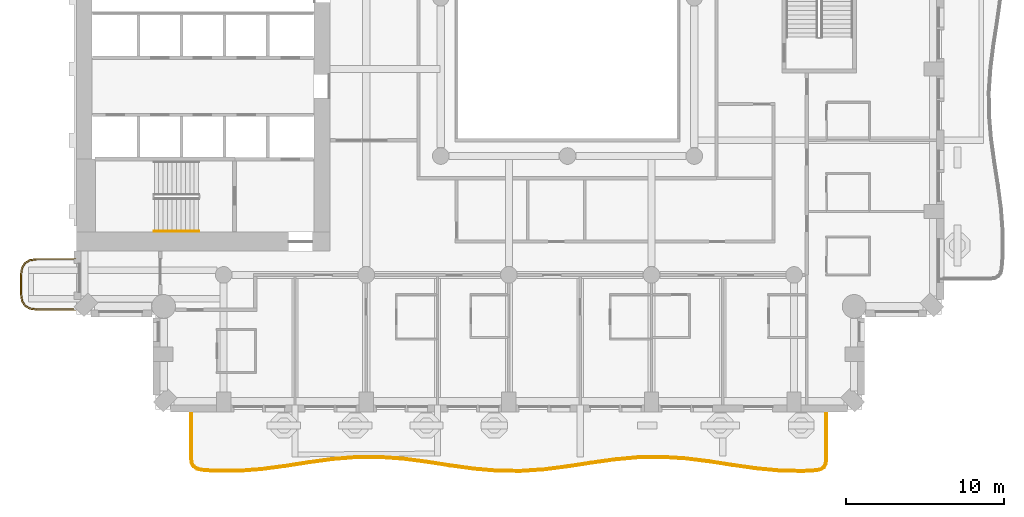
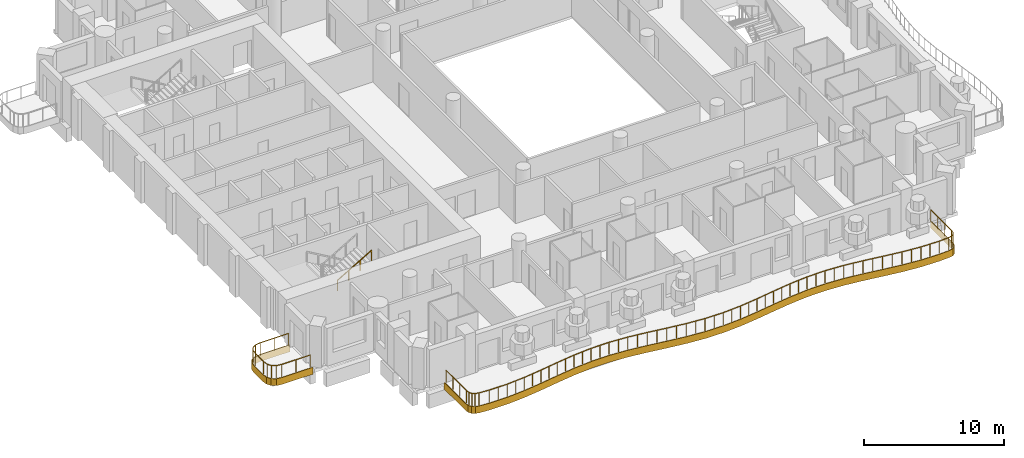
# One storey, part 13 of 20: 3 railings, 2 coverings.
"""IFC4 building model written with IfcOpenShell, lengths in metres."""

import ifcopenshell
import ifcopenshell.guid

model = None  # the IFC model being written
_history = None  # IfcOwnerHistory: only IFC2X3 demands one
_inside = {}  # id of a spatial element -> (the spatial element, [elements in it])
_under = {}  # id of a project, library or spatial element -> (it, [spatial elements below it])
_declared = {}  # id of a project -> (the project, [libraries it declares])
_typed = {}  # id of a type object -> (the type object, [elements of that type])
_made_of = {}  # id of a material, layer set ... -> (it, [elements and type objects made of it])


def new_model(schema):
    """Start an empty IFC model of exactly this schema.

    Asked for "IFC4X3", IfcOpenShell would pick the latest addendum, in which some entities
    have other attributes; the version numbers below select the first issue.
    IFC2X3 requires an IfcOwnerHistory on every rooted entity: one is made here for all.
    """
    global model, _history
    if schema == "IFC4X3":
        model = ifcopenshell.file(schema_version=(4, 3, 0, 0))
    else:
        model = ifcopenshell.file(schema=schema)
    _inside.clear()
    _under.clear()
    _declared.clear()
    _typed.clear()
    _made_of.clear()
    _history = None
    if model.schema == "IFC2X3":
        org = make("IfcOrganization", Name="unknown")
        user = make(
            "IfcPersonAndOrganization",
            ThePerson=make("IfcPerson", FamilyName="unknown"),
            TheOrganization=org,
        )
        app = make(
            "IfcApplication",
            ApplicationDeveloper=org,
            Version="unknown",
            ApplicationFullName="unknown",
            ApplicationIdentifier="unknown",
        )
        _history = make(
            "IfcOwnerHistory",
            OwningUser=user,
            OwningApplication=app,
            ChangeAction="ADDED",
            CreationDate=0,
        )
    return model


def make(cls, **values):
    """One entity of the class cls with the attributes given. An attribute that is None is left unset."""
    return model.create_entity(
        cls, **{name: value for name, value in values.items() if value is not None}
    )


def rooted(cls, **values):
    """An entity with a GlobalId (a new one), such as an element, a storey or a relation."""
    return make(cls, GlobalId=ifcopenshell.guid.new(), OwnerHistory=_history, **values)


def si_unit(unit_type, name, prefix=None):
    """IfcSIUnit, for example si_unit("LENGTHUNIT", "METRE", prefix="MILLI")."""
    return make("IfcSIUnit", UnitType=unit_type, Prefix=prefix, Name=name)


def assignment(units):
    """IfcUnitAssignment: the units of a project."""
    return None if units is None else make("IfcUnitAssignment", Units=units)


def point(xyz):
    """IfcCartesianPoint."""
    return None if xyz is None else make("IfcCartesianPoint", Coordinates=xyz)


def direction(xyz):
    """IfcDirection."""
    return None if xyz is None else make("IfcDirection", DirectionRatios=xyz)


def frame(location, z_axis=None, x_axis=None):
    """IfcAxis2Placement3D, a coordinate frame: its origin and axes. An axis left out is left unset."""
    return make(
        "IfcAxis2Placement3D",
        Location=point(location),
        Axis=direction(z_axis),
        RefDirection=direction(x_axis),
    )


def frame_2d(location, x_axis=None):
    """IfcAxis2Placement2D, a coordinate frame in the plane: its origin and x axis."""
    return make(
        "IfcAxis2Placement2D", Location=point(location), RefDirection=direction(x_axis)
    )


def origin():
    """The frame at (0, 0, 0) with its axes left unset."""
    return frame((0.0, 0.0, 0.0))


def origin_2d():
    """The frame at (0, 0) in the plane with its x axis left unset."""
    return frame_2d((0.0, 0.0))


def place(relative_to, where):
    """IfcLocalPlacement: puts the frame where relative to a parent placement (None: the world)."""
    return make(
        "IfcLocalPlacement", PlacementRelTo=relative_to, RelativePlacement=where
    )


def context(
    kind, dimensions, precision=None, world=None, true_north=None, identifier=None
):
    """IfcGeometricRepresentationContext, for example the 3D "Model" context."""
    return make(
        "IfcGeometricRepresentationContext",
        ContextIdentifier=identifier,
        ContextType=kind,
        CoordinateSpaceDimension=dimensions,
        Precision=precision,
        WorldCoordinateSystem=world,
        TrueNorth=true_north,
    )


def subcontext(parent, identifier, kind, view, scale=None):
    """IfcGeometricRepresentationSubContext, for example "Body" below "Model"."""
    return make(
        "IfcGeometricRepresentationSubContext",
        ContextIdentifier=identifier,
        ContextType=kind,
        ParentContext=parent,
        TargetScale=scale,
        TargetView=view,
    )


def project(units=None, contexts=None):
    """IfcProject with its units and contexts."""
    return rooted(
        "IfcProject",
        Name="project",
        RepresentationContexts=contexts,
        UnitsInContext=assignment(units),
    )


def spatial(cls, under=None, at=None, **own):
    """A site, building, storey or space (cls), placed at a placement, below another one or the project."""
    s = rooted(cls, ObjectPlacement=at, **own)
    if under is not None:
        _under.setdefault(under.id(), (under, []))[1].append(s)
    return s


def polyline(points):
    """IfcPolyline through the points."""
    return make("IfcPolyline", Points=[point(p) for p in points])


def profile(cls, at=None, kind="AREA", **sizes):
    """A parametric profile (cls). Its sizes go by their IFC names, for example OverallWidth=200.0."""
    return make(cls, ProfileType=kind, Position=at, **sizes)


def rectangle(**sizes):
    """IfcRectangleProfileDef."""
    return profile("IfcRectangleProfileDef", **sizes)


def outline(outer, holes=None, kind="AREA"):
    """IfcArbitraryClosedProfileDef: a profile drawn as a closed curve; with holes, ...WithVoids."""
    if holes is None:
        return make("IfcArbitraryClosedProfileDef", ProfileType=kind, OuterCurve=outer)
    return make(
        "IfcArbitraryProfileDefWithVoids",
        ProfileType=kind,
        OuterCurve=outer,
        InnerCurves=holes,
    )


def extrude(swept, where, along, depth):
    """IfcExtrudedAreaSolid: the profile swept, set in the frame where, extruded along a direction by depth."""
    return make(
        "IfcExtrudedAreaSolid",
        SweptArea=swept,
        Position=where,
        ExtrudedDirection=direction(along),
        Depth=depth,
    )


def shape(context_of_items, identifier, shape_type, items):
    """IfcShapeRepresentation: the items that make up one representation, for example the "Body"."""
    return make(
        "IfcShapeRepresentation",
        ContextOfItems=context_of_items,
        RepresentationIdentifier=identifier,
        RepresentationType=shape_type,
        Items=items,
    )


def material(Name=None, Category=None):
    """IfcMaterial."""
    return make("IfcMaterial", Name=Name, Category=Category)


def layer(
    of_material, thickness, ventilated=None, Name=None, Category=None, Priority=None
):
    """IfcMaterialLayer: one layer of a wall or slab, of a material (None: an air gap)."""
    return make(
        "IfcMaterialLayer",
        Material=of_material,
        LayerThickness=thickness,
        IsVentilated=ventilated,
        Name=Name,
        Category=Category,
        Priority=Priority,
    )


def layer_set(layers, Name=None):
    """IfcMaterialLayerSet."""
    return make("IfcMaterialLayerSet", MaterialLayers=layers, LayerSetName=Name)


def made_of(thing, what):
    """Note that an element or type object is made of a material, layer set ...; save() writes the relation."""
    if what is not None:
        _made_of.setdefault(what.id(), (what, []))[1].append(thing)
    return thing


def type_object(cls, material=None, **own):
    """A type object (cls), such as IfcWallType, which elements share."""
    return made_of(rooted(cls, **own), material)


def element(
    cls,
    number,
    at=None,
    inside=None,
    cuts=None,
    type_object=None,
    material=None,
    context=None,
    identifier="Body",
    shape_type=None,
    held_by="IfcProductDefinitionShape",
    body=None,
    shapes=None,
    **own,
):
    """One element of the class cls, such as IfcWall. Its Tag is "e" and its number.

    at: its placement. inside: the storey or other place that contains it. cuts: it is an
    opening in that element (IfcRelVoidsElement). A single representation is given by context,
    identifier, shape_type and body (its items); several are given by shapes. held_by: the class
    of the entity that holds the representations. save() writes the other relations.
    """
    e = rooted(cls, Tag="e%d" % number, ObjectPlacement=at, **own)
    if body is not None:
        shapes = [shape(context, identifier, shape_type, body)]
    if shapes is not None:
        e.Representation = make(held_by, Representations=shapes)
    if inside is not None:
        _inside.setdefault(inside.id(), (inside, []))[1].append(e)
    if cuts is not None:
        rooted(
            "IfcRelVoidsElement", RelatingBuildingElement=cuts, RelatedOpeningElement=e
        )
    if type_object is not None:
        _typed.setdefault(type_object.id(), (type_object, []))[1].append(e)
    return made_of(e, material)


def aggregate(whole, parts):
    """IfcRelAggregates: a whole, such as a stair, and the parts it consists of."""
    return rooted("IfcRelAggregates", RelatingObject=whole, RelatedObjects=parts)


def save(model, path):
    """Write the relations noted so far, then the file.

    IfcRelAggregates (storeys below a building ...), IfcRelContainedInSpatialStructure (elements
    in a storey), IfcRelDefinesByType, IfcRelAssociatesMaterial and IfcRelDeclares: one each for
    every whole, place, type object, material and project.
    """
    for whole, parts in _under.values():
        aggregate(whole, parts)
    for where, things in _inside.values():
        rooted(
            "IfcRelContainedInSpatialStructure",
            RelatedElements=things,
            RelatingStructure=where,
        )
    for kind, things in _typed.values():
        rooted("IfcRelDefinesByType", RelatedObjects=things, RelatingType=kind)
    for what, things in _made_of.values():
        rooted("IfcRelAssociatesMaterial", RelatedObjects=things, RelatingMaterial=what)
    for by, libraries in _declared.values():
        rooted("IfcRelDeclares", RelatingContext=by, RelatedDefinitions=libraries)
    model.write(path)


model = new_model("IFC4")

# Units and contexts
model_context = context("Model", 3, precision=1e-05, world=origin(), true_north=direction((0.0, 1.0)))
body_context = subcontext(model_context, "Body", "Model", "MODEL_VIEW")
ifc_project = project(units=[si_unit("LENGTHUNIT", "METRE"), si_unit("AREAUNIT", "SQUARE_METRE"), si_unit("VOLUMEUNIT", "CUBIC_METRE"), si_unit("PLANEANGLEUNIT", "RADIAN"), si_unit("MASSUNIT", "GRAM", prefix="KILO")], contexts=[model_context])

# Site, building, storey
site_placement = place(None, origin())
site = spatial("IfcSite", under=ifc_project, at=site_placement, CompositionType="ELEMENT")
building_placement = place(site_placement, origin())
building = spatial("IfcBuilding", under=site, at=building_placement, Name="Cypress Arch Tower", CompositionType="ELEMENT")
storey_placement = place(building_placement, frame((0.0, 0.0, 116.699951171875)))
storey = spatial("IfcBuildingStorey", under=building, at=storey_placement, Name="L24", CompositionType="ELEMENT", Elevation=116.699951171875)

# Coverings
ifc_material_1 = material(Name="White powder-coated aluminium fascia", Category="aluminium")
ifc_layer = layer(ifc_material_1, 0.050048828125)
ifc_layer_set = layer_set([ifc_layer], Name="Balcony fascia BF50")
covering_type = type_object("IfcCoveringType", Name="Balcony fascia BF50", PredefinedType="CLADDING", material=ifc_layer_set)
covering_1_placement = place(storey_placement, frame((0.0, 0.0, -0.599853515625)))
element("IfcCovering", 1, at=covering_1_placement, inside=storey, type_object=covering_type, Name="Balcony fascia L24-A00W1", PredefinedType="CLADDING", context=body_context, shape_type="SweptSolid", body=[
    extrude(outline(polyline([(-32.503662109375, -19.75), (-32.95458984375, -19.685546875), (-33.286376953125, -19.486328125), (-33.485595703125, -19.154541015625), (-33.550048828125, -18.70361328125), (-33.550048828125, -17.496337890625), (-33.485595703125, -17.04541015625), (-33.286376953125, -16.713623046875), (-32.95458984375, -16.514404296875), (-32.503662109375, -16.449951171875), (-30.0009765625, -16.449951171875), (-30.0009765625, -16.5), (-32.5, -16.5), (-32.9375, -16.5625), (-33.25, -16.75), (-33.4375, -17.0625), (-33.5, -17.5), (-33.5, -18.699951171875), (-33.4375, -19.137451171875), (-33.25, -19.449951171875), (-32.9375, -19.637451171875), (-32.5, -19.699951171875), (-30.0009765625, -19.699951171875), (-30.0009765625, -19.75), (-32.503662109375, -19.75)])), origin(), (0.0, 0.0, 1.0), 0.599853515625),
])
covering_2_placement = place(storey_placement, frame((0.0, 0.0, -0.599853515625)))
element("IfcCovering", 2, at=covering_2_placement, inside=storey, type_object=covering_type, Name="Balcony fascia L24-A03", PredefinedType="CLADDING", context=body_context, shape_type="SweptSolid", body=[
    extrude(outline(polyline([(17.39990234375, -29.143310546875), (17.3564453125, -29.451904296875), (17.22021484375, -29.68701171875), (16.993408203125, -29.836669921875), (16.68798828125, -29.898193359375), (15.86572265625, -29.9462890625), (14.376708984375, -29.916015625), (12.888671875, -29.776123046875), (11.40185546875, -29.5634765625), (9.917236328125, -29.33447265625), (8.434326171875, -29.14892578125), (6.95263671875, -29.0556640625), (5.47119140625, -29.078857421875), (3.989013671875, -29.21240234375), (2.50537109375, -29.421630859375), (1.02001953125, -29.651611328125), (-0.46728515625, -29.841796875), (-1.9560546875, -29.94189453125), (-3.445068359375, -29.92578125), (-4.933349609375, -29.797607421875), (-6.420166015625, -29.591064453125), (-7.9052734375, -29.36083984375), (-9.388427734375, -29.1669921875), (-10.8701171875, -29.060791015625), (-12.3515625, -29.06982421875), (-13.83349609375, -29.191650390625), (-15.31689453125, -29.394287109375), (-16.802001953125, -29.625), (-18.289306640625, -29.82275390625), (-19.77783203125, -29.935791015625), (-21.266845703125, -29.93408203125), (-22.089111328125, -29.869873046875), (-22.394287109375, -29.802490234375), (-22.62060546875, -29.6484375), (-22.75634765625, -29.410888671875), (-22.800048828125, -29.101318359375), (-22.800048828125, -26.0009765625), (-22.75, -26.0009765625), (-22.75, -29.097900390625), (-22.708251953125, -29.394287109375), (-22.5830078125, -29.613525390625), (-22.3740234375, -29.755615234375), (-22.081787109375, -29.8203125), (-21.264892578125, -29.884033203125), (-19.779541015625, -29.8857421875), (-18.29443359375, -29.773193359375), (-16.809326171875, -29.575439453125), (-15.323974609375, -29.3447265625), (-13.8388671875, -29.141845703125), (-12.353759765625, -29.019775390625), (-10.868408203125, -29.010986328125), (-9.38330078125, -29.117431640625), (-7.898193359375, -29.311279296875), (-6.412841796875, -29.54150390625), (-4.927734375, -29.747802734375), (-3.442626953125, -29.8759765625), (-1.95751953125, -29.891845703125), (-0.47216796875, -29.7919921875), (1.012939453125, -29.60205078125), (2.498046875, -29.3720703125), (3.9833984375, -29.162841796875), (5.468505859375, -29.02880859375), (6.95361328125, -29.005615234375), (8.43896484375, -29.09912109375), (9.924072265625, -29.284912109375), (11.4091796875, -29.51416015625), (12.89453125, -29.726318359375), (14.379638671875, -29.865966796875), (15.86474609375, -29.896240234375), (16.681640625, -29.8486328125), (16.97412109375, -29.78955078125), (17.182861328125, -29.65185546875), (17.308349609375, -29.435302734375), (17.35009765625, -29.139892578125), (17.35009765625, -26.0009765625), (17.39990234375, -26.0009765625), (17.39990234375, -29.143310546875)])), origin(), (0.0, 0.0, 1.0), 0.599853515625),
])

# Railings
ifc_material_2 = material(Name="Powder-coated steel posts and rods, 100 mm clear between rods", Category="steel")
railing_type_1 = type_object("IfcRailingType", Name="Balcony guard GR1100", PredefinedType="GUARDRAIL", material=ifc_material_2)
railing_1_placement = place(storey_placement, frame((-30.14990234375, -19.64990234375, 0.0)))
element("IfcRailing", 3, at=railing_1_placement, inside=storey, type_object=railing_type_1, Name="Balcony guard L24-A00W1", PredefinedType="GUARDRAIL", context=body_context, shape_type="SweptSolid", body=[
    extrude(rectangle(XDim=0.050048828125, YDim=0.050048828125, at=origin_2d()), frame((0.0, 0.0, 1.0751953125), z_axis=(-1.0, 0.0, 0.0), x_axis=(0.0, -1.0, 0.0)), (0.0, 0.0, 1.0), 2.346435546875),
    extrude(rectangle(XDim=0.050048828125, YDim=0.050048828125, at=origin_2d()), frame((-2.346435546875, 0.0, 1.0751953125), z_axis=(-0.989960888959, 0.141341566184, 0.0), x_axis=(-0.141341566184, -0.989960888959, 0.0)), (0.0, 0.0, 1.0), 0.428466796875),
    extrude(rectangle(XDim=0.050048828125, YDim=0.050048828125, at=origin_2d()), frame((-2.7705078125, 0.060546875, 1.0751953125), z_axis=(-0.857681904839, 0.514180659021, 0.0), x_axis=(-0.514180659021, -0.857681904839, 0.0)), (0.0, 0.0, 1.0), 0.341796875),
    extrude(rectangle(XDim=0.050048828125, YDim=0.050048828125, at=origin_2d()), frame((-3.063720703125, 0.236328125, 1.0751953125), z_axis=(-0.514180659021, 0.857681904839, 0.0), x_axis=(-0.857681904839, -0.514180659021, 0.0)), (0.0, 0.0, 1.0), 0.341796875),
    extrude(rectangle(XDim=0.050048828125, YDim=0.050048828125, at=origin_2d()), frame((-3.239501953125, 0.529541015625, 1.0751953125), z_axis=(-0.141421356237, 0.989949493661, 0.0), x_axis=(-0.989949493661, -0.141421356237, 0.0)), (0.0, 0.0, 1.0), 0.42822265625),
    extrude(rectangle(XDim=0.050048828125, YDim=0.050048828125, at=origin_2d()), frame((-3.300048828125, 0.953369140625, 1.0751953125), z_axis=(0.0, 1.0, 0.0), x_axis=(-1.0, 0.0, 0.0)), (0.0, 0.0, 1.0), 1.19287109375),
    extrude(rectangle(XDim=0.050048828125, YDim=0.050048828125, at=origin_2d()), frame((-3.300048828125, 2.146240234375, 1.0751953125), z_axis=(0.141341566184, 0.989960888959, 0.0), x_axis=(-0.989960888959, 0.141341566184, 0.0)), (0.0, 0.0, 1.0), 0.428466796875),
    extrude(rectangle(XDim=0.050048828125, YDim=0.050048828125, at=origin_2d()), frame((-3.239501953125, 2.5703125, 1.0751953125), z_axis=(0.514180659021, 0.857681904839, 0.0), x_axis=(-0.857681904839, 0.514180659021, 0.0)), (0.0, 0.0, 1.0), 0.341796875),
    extrude(rectangle(XDim=0.050048828125, YDim=0.050048828125, at=origin_2d()), frame((-3.063720703125, 2.863525390625, 1.0751953125), z_axis=(0.857681904839, 0.514180659021, 0.0), x_axis=(-0.514180659021, 0.857681904839, 0.0)), (0.0, 0.0, 1.0), 0.341796875),
    extrude(rectangle(XDim=0.050048828125, YDim=0.050048828125, at=origin_2d()), frame((-2.7705078125, 3.039306640625, 1.0751953125), z_axis=(0.989960888959, 0.141341566184, 0.0), x_axis=(-0.141341566184, 0.989960888959, 0.0)), (0.0, 0.0, 1.0), 0.428466796875),
    extrude(rectangle(XDim=0.050048828125, YDim=0.050048828125, at=origin_2d()), frame((-2.346435546875, 3.099853515625, 1.0751953125), z_axis=(1.0, 0.0, 0.0), x_axis=(0.0, 1.0, 0.0)), (0.0, 0.0, 1.0), 2.346435546875),
    extrude(rectangle(XDim=0.0400390625, YDim=0.0400390625, at=origin_2d()), origin(), (0.0, 0.0, 1.0), 1.050048828125),
    extrude(rectangle(XDim=0.0400390625, YDim=0.0400390625, at=origin_2d()), frame((-1.17333984375, 0.0, 0.0)), (0.0, 0.0, 1.0), 1.050048828125),
    extrude(rectangle(XDim=0.0400390625, YDim=0.0400390625, at=origin_2d()), frame((-2.346435546875, 0.0, 0.0)), (0.0, 0.0, 1.0), 1.050048828125),
    extrude(rectangle(XDim=0.0400390625, YDim=0.0400390625, at=origin_2d()), frame((-2.7705078125, 0.060546875, 0.0)), (0.0, 0.0, 1.0), 1.050048828125),
    extrude(rectangle(XDim=0.0400390625, YDim=0.0400390625, at=origin_2d()), frame((-3.063720703125, 0.236328125, 0.0)), (0.0, 0.0, 1.0), 1.050048828125),
    extrude(rectangle(XDim=0.0400390625, YDim=0.0400390625, at=origin_2d()), frame((-3.239501953125, 0.529541015625, 0.0)), (0.0, 0.0, 1.0), 1.050048828125),
    extrude(rectangle(XDim=0.0400390625, YDim=0.0400390625, at=origin_2d()), frame((-3.300048828125, 0.953369140625, 0.0)), (0.0, 0.0, 1.0), 1.050048828125),
    extrude(rectangle(XDim=0.0400390625, YDim=0.0400390625, at=origin_2d()), frame((-3.300048828125, 2.146240234375, 0.0)), (0.0, 0.0, 1.0), 1.050048828125),
    extrude(rectangle(XDim=0.0400390625, YDim=0.0400390625, at=origin_2d()), frame((-3.239501953125, 2.5703125, 0.0)), (0.0, 0.0, 1.0), 1.050048828125),
    extrude(rectangle(XDim=0.0400390625, YDim=0.0400390625, at=origin_2d()), frame((-3.063720703125, 2.863525390625, 0.0)), (0.0, 0.0, 1.0), 1.050048828125),
    extrude(rectangle(XDim=0.0400390625, YDim=0.0400390625, at=origin_2d()), frame((-2.7705078125, 3.039306640625, 0.0)), (0.0, 0.0, 1.0), 1.050048828125),
    extrude(rectangle(XDim=0.0400390625, YDim=0.0400390625, at=origin_2d()), frame((-2.346435546875, 3.099853515625, 0.0)), (0.0, 0.0, 1.0), 1.050048828125),
    extrude(rectangle(XDim=0.0400390625, YDim=0.0400390625, at=origin_2d()), frame((-1.17333984375, 3.099853515625, 0.0)), (0.0, 0.0, 1.0), 1.050048828125),
    extrude(rectangle(XDim=0.0400390625, YDim=0.0400390625, at=origin_2d()), frame((0.0, 3.099853515625, 0.0)), (0.0, 0.0, 1.0), 1.050048828125),
])
railing_2_placement = place(storey_placement, frame((17.300048828125, -26.14990234375, 0.0)))
element("IfcRailing", 4, at=railing_2_placement, inside=storey, type_object=railing_type_1, Name="Balcony guard L24-A03", PredefinedType="GUARDRAIL", context=body_context, shape_type="SweptSolid", body=[
    extrude(rectangle(XDim=0.050048828125, YDim=0.050048828125, at=origin_2d()), frame((0.0, 0.0, 1.0751953125), z_axis=(0.0, -1.0, 0.0), x_axis=(1.0, 0.0, 0.0)), (0.0, 0.0, 1.0), 2.986572265625),
    extrude(rectangle(XDim=0.050048828125, YDim=0.050048828125, at=origin_2d()), frame((0.0, -2.986572265625, 1.0751953125), z_axis=(-0.140462036909, -0.990086065041, 0.0), x_axis=(0.990086065041, -0.140462036909, 0.0)), (0.0, 0.0, 1.0), 0.28515625),
    extrude(rectangle(XDim=0.050048828125, YDim=0.050048828125, at=origin_2d()), frame((-0.0400390625, -3.268798828125, 1.0751953125), z_axis=(-0.501078385199, -0.865401901943, 0.0), x_axis=(0.865401901943, -0.501078385199, 0.0)), (0.0, 0.0, 1.0), 0.228515625),
    extrude(rectangle(XDim=0.050048828125, YDim=0.050048828125, at=origin_2d()), frame((-0.154541015625, -3.466552734375, 1.0751953125), z_axis=(-0.834668286008, -0.550752986676, 0.0), x_axis=(0.550752986676, -0.834668286008, 0.0)), (0.0, 0.0, 1.0), 0.228759765625),
    extrude(rectangle(XDim=0.050048828125, YDim=0.050048828125, at=origin_2d()), frame((-0.345458984375, -3.592529296875, 1.0751953125), z_axis=(-0.980216494426, -0.197928330605, 0.0), x_axis=(0.197928330605, -0.980216494426, 0.0)), (0.0, 0.0, 1.0), 0.284912109375),
    extrude(rectangle(XDim=0.050048828125, YDim=0.050048828125, at=origin_2d()), frame((-0.624755859375, -3.64892578125, 1.0751953125), z_axis=(-0.998283681063, -0.058563573348, 0.0), x_axis=(0.058563573348, -0.998283681063, 0.0)), (0.0, 0.0, 1.0), 0.81298828125),
    extrude(rectangle(XDim=0.050048828125, YDim=0.050048828125, at=origin_2d()), frame((-1.436279296875, -3.696533203125, 1.0751953125), z_axis=(-0.999791200551, 0.020434169914, 0.0), x_axis=(-0.020434169914, -0.999791200551, 0.0)), (0.0, 0.0, 1.0), 1.4814453125),
    extrude(rectangle(XDim=0.050048828125, YDim=0.050048828125, at=origin_2d()), frame((-2.91748046875, -3.666259765625, 1.0751953125), z_axis=(-0.995606081336, 0.093640433609, 0.0), x_axis=(-0.093640433609, -0.995606081336, 0.0)), (0.0, 0.0, 1.0), 1.48876953125),
    extrude(rectangle(XDim=0.050048828125, YDim=0.050048828125, at=origin_2d()), frame((-4.399658203125, -3.52685546875, 1.0751953125), z_axis=(-0.989933199942, 0.141535365375, 0.0), x_axis=(-0.141535365375, -0.989933199942, 0.0)), (0.0, 0.0, 1.0), 1.4990234375),
    extrude(rectangle(XDim=0.050048828125, YDim=0.050048828125, at=origin_2d()), frame((-5.883544921875, -3.314697265625, 1.0751953125), z_axis=(-0.988302121698, 0.152508741541, 0.0), x_axis=(-0.152508741541, -0.988302121698, 0.0)), (0.0, 0.0, 1.0), 1.503173828125),
    extrude(rectangle(XDim=0.050048828125, YDim=0.050048828125, at=origin_2d()), frame((-7.369140625, -3.08544921875, 1.0751953125), z_axis=(-0.99226785006, 0.124114921495, 0.0), x_axis=(-0.124114921495, -0.99226785006, 0.0)), (0.0, 0.0, 1.0), 1.498779296875),
    extrude(rectangle(XDim=0.050048828125, YDim=0.050048828125, at=origin_2d()), frame((-8.8564453125, -2.8994140625, 1.0751953125), z_axis=(-0.998023174479, 0.062846982453, 0.0), x_axis=(-0.062846982453, -0.998023174479, 0.0)), (0.0, 0.0, 1.0), 1.49169921875),
    extrude(rectangle(XDim=0.050048828125, YDim=0.050048828125, at=origin_2d()), frame((-10.34521484375, -2.8056640625, 1.0751953125), z_axis=(-0.999876144723, -0.015738335775, 0.0), x_axis=(0.015738335775, -0.999876144723, 0.0)), (0.0, 0.0, 1.0), 1.4892578125),
    extrude(rectangle(XDim=0.050048828125, YDim=0.050048828125, at=origin_2d()), frame((-11.834228515625, -2.8291015625, 1.0751953125), z_axis=(-0.99596918613, -0.08969604383, 0.0), x_axis=(0.08969604383, -0.99596918613, 0.0)), (0.0, 0.0, 1.0), 1.494384765625),
    extrude(rectangle(XDim=0.050048828125, YDim=0.050048828125, at=origin_2d()), frame((-13.322509765625, -2.963134765625, 1.0751953125), z_axis=(-0.990198336954, -0.139668369695, 0.0), x_axis=(0.139668369695, -0.990198336954, 0.0)), (0.0, 0.0, 1.0), 1.50146484375),
    extrude(rectangle(XDim=0.050048828125, YDim=0.050048828125, at=origin_2d()), frame((-14.809326171875, -3.1728515625, 1.0751953125), z_axis=(-0.988241725228, -0.152899615824, 0.0), x_axis=(0.152899615824, -0.988241725228, 0.0)), (0.0, 0.0, 1.0), 1.50244140625),
    extrude(rectangle(XDim=0.050048828125, YDim=0.050048828125, at=origin_2d()), frame((-16.294189453125, -3.402587890625, 1.0751953125), z_axis=(-0.99191701264, -0.126888297468, 0.0), x_axis=(0.126888297468, -0.99191701264, 0.0)), (0.0, 0.0, 1.0), 1.494873046875),
    extrude(rectangle(XDim=0.050048828125, YDim=0.050048828125, at=origin_2d()), frame((-17.777099609375, -3.59228515625, 1.0751953125), z_axis=(-0.997736887673, -0.067239147645, 0.0), x_axis=(0.067239147645, -0.997736887673, 0.0)), (0.0, 0.0, 1.0), 1.485107421875),
    extrude(rectangle(XDim=0.050048828125, YDim=0.050048828125, at=origin_2d()), frame((-19.2587890625, -3.692138671875, 1.0751953125), z_axis=(-0.999940853616, 0.01087608707, 0.0), x_axis=(-0.01087608707, -0.999940853616, 0.0)), (0.0, 0.0, 1.0), 1.4814453125),
    extrude(rectangle(XDim=0.050048828125, YDim=0.050048828125, at=origin_2d()), frame((-20.740234375, -3.676025390625, 1.0751953125), z_axis=(-0.996308642532, 0.085843397042, 0.0), x_axis=(-0.085843397042, -0.996308642532, 0.0)), (0.0, 0.0, 1.0), 1.4873046875),
    extrude(rectangle(XDim=0.050048828125, YDim=0.050048828125, at=origin_2d()), frame((-22.22216796875, -3.54833984375, 1.0751953125), z_axis=(-0.990492890088, 0.137563929445, 0.0), x_axis=(-0.137563929445, -0.990492890088, 0.0)), (0.0, 0.0, 1.0), 1.497802734375),
    extrude(rectangle(XDim=0.050048828125, YDim=0.050048828125, at=origin_2d()), frame((-23.705810546875, -3.34228515625, 1.0751953125), z_axis=(-0.988175600597, 0.153326391677, 0.0), x_axis=(-0.153326391677, -0.988175600597, 0.0)), (0.0, 0.0, 1.0), 1.503173828125),
    extrude(rectangle(XDim=0.050048828125, YDim=0.050048828125, at=origin_2d()), frame((-25.191162109375, -3.11181640625, 1.0751953125), z_axis=(-0.991592240475, 0.129401810765, 0.0), x_axis=(-0.129401810765, -0.991592240475, 0.0)), (0.0, 0.0, 1.0), 1.5),
    extrude(rectangle(XDim=0.050048828125, YDim=0.050048828125, at=origin_2d()), frame((-26.678466796875, -2.917724609375, 1.0751953125), z_axis=(-0.997441230846, 0.071491195322, 0.0), x_axis=(-0.071491195322, -0.997441230846, 0.0)), (0.0, 0.0, 1.0), 1.492431640625),
    extrude(rectangle(XDim=0.050048828125, YDim=0.050048828125, at=origin_2d()), frame((-28.1669921875, -2.81103515625, 1.0751953125), z_axis=(-0.999982580071, -0.005902504162, 0.0), x_axis=(0.005902504162, -0.999982580071, 0.0)), (0.0, 0.0, 1.0), 1.489013671875),
    extrude(rectangle(XDim=0.050048828125, YDim=0.050048828125, at=origin_2d()), frame((-29.656005859375, -2.81982421875, 1.0751953125), z_axis=(-0.996639822044, -0.081908883012, 0.0), x_axis=(0.081908883012, -0.996639822044, 0.0)), (0.0, 0.0, 1.0), 1.493408203125),
    extrude(rectangle(XDim=0.050048828125, YDim=0.050048828125, at=origin_2d()), frame((-31.144287109375, -2.942138671875, 1.0751953125), z_axis=(-0.990777632207, -0.135497909642, 0.0), x_axis=(0.135497909642, -0.990777632207, 0.0)), (0.0, 0.0, 1.0), 1.5009765625),
    extrude(rectangle(XDim=0.050048828125, YDim=0.050048828125, at=origin_2d()), frame((-32.63134765625, -3.1455078125, 1.0751953125), z_axis=(-0.988171781301, -0.153351004693, 0.0), x_axis=(0.153351004693, -0.988171781301, 0.0)), (0.0, 0.0, 1.0), 1.5029296875),
    extrude(rectangle(XDim=0.050048828125, YDim=0.050048828125, at=origin_2d()), frame((-34.116455078125, -3.3759765625, 1.0751953125), z_axis=(-0.991249263517, -0.132003399866, 0.0), x_axis=(0.132003399866, -0.991249263517, 0.0)), (0.0, 0.0, 1.0), 1.496337890625),
    extrude(rectangle(XDim=0.050048828125, YDim=0.050048828125, at=origin_2d()), frame((-35.599609375, -3.573486328125, 1.0751953125), z_axis=(-0.997128421672, -0.075729193145, 0.0), x_axis=(0.075729193145, -0.997128421672, 0.0)), (0.0, 0.0, 1.0), 1.486083984375),
    extrude(rectangle(XDim=0.050048828125, YDim=0.050048828125, at=origin_2d()), frame((-37.08154296875, -3.68603515625, 1.0751953125), z_axis=(-0.999999130923, 0.001318390417, 0.0), x_axis=(-0.001318390417, -0.999999130923, 0.0)), (0.0, 0.0, 1.0), 1.4814453125),
    extrude(rectangle(XDim=0.050048828125, YDim=0.050048828125, at=origin_2d()), frame((-38.56298828125, -3.68408203125, 1.0751953125), z_axis=(-0.996976321459, 0.077705948618, 0.0), x_axis=(-0.077705948618, -0.996976321459, 0.0)), (0.0, 0.0, 1.0), 0.813720703125),
    extrude(rectangle(XDim=0.050048828125, YDim=0.050048828125, at=origin_2d()), frame((-39.374267578125, -3.620849609375, 1.0751953125), z_axis=(-0.976486857221, 0.215576941428, 0.0), x_axis=(-0.215576941428, -0.976486857221, 0.0)), (0.0, 0.0, 1.0), 0.28662109375),
    extrude(rectangle(XDim=0.050048828125, YDim=0.050048828125, at=origin_2d()), frame((-39.654052734375, -3.55908203125, 1.0751953125), z_axis=(-0.826651492665, 0.56271423447, 0.0), x_axis=(-0.56271423447, -0.826651492665, 0.0)), (0.0, 0.0, 1.0), 0.231201171875),
    extrude(rectangle(XDim=0.050048828125, YDim=0.050048828125, at=origin_2d()), frame((-39.84521484375, -3.428955078125, 1.0751953125), z_axis=(-0.496706682447, 0.867918470602, 0.0), x_axis=(-0.867918470602, -0.496706682447, 0.0)), (0.0, 0.0, 1.0), 0.2314453125),
    extrude(rectangle(XDim=0.050048828125, YDim=0.050048828125, at=origin_2d()), frame((-39.960205078125, -3.22802734375, 1.0751953125), z_axis=(-0.138915314155, 0.990304264099, 0.0), x_axis=(-0.990304264099, -0.138915314155, 0.0)), (0.0, 0.0, 1.0), 0.286376953125),
    extrude(rectangle(XDim=0.050048828125, YDim=0.050048828125, at=origin_2d()), frame((-40.0, -2.9443359375, 1.0751953125), z_axis=(0.0, 1.0, 0.0), x_axis=(-1.0, 0.0, 0.0)), (0.0, 0.0, 1.0), 2.9443359375),
    extrude(rectangle(XDim=0.0400390625, YDim=0.0400390625, at=origin_2d()), origin(), (0.0, 0.0, 1.0), 1.050048828125),
    extrude(rectangle(XDim=0.0400390625, YDim=0.0400390625, at=origin_2d()), frame((0.0, -0.99560546875, 0.0)), (0.0, 0.0, 1.0), 1.050048828125),
    extrude(rectangle(XDim=0.0400390625, YDim=0.0400390625, at=origin_2d()), frame((0.0, -1.990966796875, 0.0)), (0.0, 0.0, 1.0), 1.050048828125),
    extrude(rectangle(XDim=0.0400390625, YDim=0.0400390625, at=origin_2d()), frame((0.0, -2.986572265625, 0.0)), (0.0, 0.0, 1.0), 1.050048828125),
    extrude(rectangle(XDim=0.0400390625, YDim=0.0400390625, at=origin_2d()), frame((-0.0400390625, -3.268798828125, 0.0)), (0.0, 0.0, 1.0), 1.050048828125),
    extrude(rectangle(XDim=0.0400390625, YDim=0.0400390625, at=origin_2d()), frame((-0.154541015625, -3.466552734375, 0.0)), (0.0, 0.0, 1.0), 1.050048828125),
    extrude(rectangle(XDim=0.0400390625, YDim=0.0400390625, at=origin_2d()), frame((-0.345458984375, -3.592529296875, 0.0)), (0.0, 0.0, 1.0), 1.050048828125),
    extrude(rectangle(XDim=0.0400390625, YDim=0.0400390625, at=origin_2d()), frame((-0.624755859375, -3.64892578125, 0.0)), (0.0, 0.0, 1.0), 1.050048828125),
    extrude(rectangle(XDim=0.0400390625, YDim=0.0400390625, at=origin_2d()), frame((-1.436279296875, -3.696533203125, 0.0)), (0.0, 0.0, 1.0), 1.050048828125),
    extrude(rectangle(XDim=0.0400390625, YDim=0.0400390625, at=origin_2d()), frame((-2.1767578125, -3.681396484375, 0.0)), (0.0, 0.0, 1.0), 1.050048828125),
    extrude(rectangle(XDim=0.0400390625, YDim=0.0400390625, at=origin_2d()), frame((-2.91748046875, -3.666259765625, 0.0)), (0.0, 0.0, 1.0), 1.050048828125),
    extrude(rectangle(XDim=0.0400390625, YDim=0.0400390625, at=origin_2d()), frame((-3.65869140625, -3.5966796875, 0.0)), (0.0, 0.0, 1.0), 1.050048828125),
    extrude(rectangle(XDim=0.0400390625, YDim=0.0400390625, at=origin_2d()), frame((-4.399658203125, -3.52685546875, 0.0)), (0.0, 0.0, 1.0), 1.050048828125),
    extrude(rectangle(XDim=0.0400390625, YDim=0.0400390625, at=origin_2d()), frame((-5.1416015625, -3.4208984375, 0.0)), (0.0, 0.0, 1.0), 1.050048828125),
    extrude(rectangle(XDim=0.0400390625, YDim=0.0400390625, at=origin_2d()), frame((-5.883544921875, -3.314697265625, 0.0)), (0.0, 0.0, 1.0), 1.050048828125),
    extrude(rectangle(XDim=0.0400390625, YDim=0.0400390625, at=origin_2d()), frame((-6.62646484375, -3.2001953125, 0.0)), (0.0, 0.0, 1.0), 1.050048828125),
    extrude(rectangle(XDim=0.0400390625, YDim=0.0400390625, at=origin_2d()), frame((-7.369140625, -3.08544921875, 0.0)), (0.0, 0.0, 1.0), 1.050048828125),
    extrude(rectangle(XDim=0.0400390625, YDim=0.0400390625, at=origin_2d()), frame((-8.11279296875, -2.992431640625, 0.0)), (0.0, 0.0, 1.0), 1.050048828125),
    extrude(rectangle(XDim=0.0400390625, YDim=0.0400390625, at=origin_2d()), frame((-8.8564453125, -2.8994140625, 0.0)), (0.0, 0.0, 1.0), 1.050048828125),
    extrude(rectangle(XDim=0.0400390625, YDim=0.0400390625, at=origin_2d()), frame((-9.600830078125, -2.8525390625, 0.0)), (0.0, 0.0, 1.0), 1.050048828125),
    extrude(rectangle(XDim=0.0400390625, YDim=0.0400390625, at=origin_2d()), frame((-10.34521484375, -2.8056640625, 0.0)), (0.0, 0.0, 1.0), 1.050048828125),
    extrude(rectangle(XDim=0.0400390625, YDim=0.0400390625, at=origin_2d()), frame((-11.08984375, -2.8173828125, 0.0)), (0.0, 0.0, 1.0), 1.050048828125),
    extrude(rectangle(XDim=0.0400390625, YDim=0.0400390625, at=origin_2d()), frame((-11.834228515625, -2.8291015625, 0.0)), (0.0, 0.0, 1.0), 1.050048828125),
    extrude(rectangle(XDim=0.0400390625, YDim=0.0400390625, at=origin_2d()), frame((-12.578369140625, -2.89599609375, 0.0)), (0.0, 0.0, 1.0), 1.050048828125),
    extrude(rectangle(XDim=0.0400390625, YDim=0.0400390625, at=origin_2d()), frame((-13.322509765625, -2.963134765625, 0.0)), (0.0, 0.0, 1.0), 1.050048828125),
    extrude(rectangle(XDim=0.0400390625, YDim=0.0400390625, at=origin_2d()), frame((-14.06591796875, -3.06787109375, 0.0)), (0.0, 0.0, 1.0), 1.050048828125),
    extrude(rectangle(XDim=0.0400390625, YDim=0.0400390625, at=origin_2d()), frame((-14.809326171875, -3.1728515625, 0.0)), (0.0, 0.0, 1.0), 1.050048828125),
    extrude(rectangle(XDim=0.0400390625, YDim=0.0400390625, at=origin_2d()), frame((-15.5517578125, -3.28759765625, 0.0)), (0.0, 0.0, 1.0), 1.050048828125),
    extrude(rectangle(XDim=0.0400390625, YDim=0.0400390625, at=origin_2d()), frame((-16.294189453125, -3.402587890625, 0.0)), (0.0, 0.0, 1.0), 1.050048828125),
    extrude(rectangle(XDim=0.0400390625, YDim=0.0400390625, at=origin_2d()), frame((-17.03564453125, -3.49755859375, 0.0)), (0.0, 0.0, 1.0), 1.050048828125),
    extrude(rectangle(XDim=0.0400390625, YDim=0.0400390625, at=origin_2d()), frame((-17.777099609375, -3.59228515625, 0.0)), (0.0, 0.0, 1.0), 1.050048828125),
    extrude(rectangle(XDim=0.0400390625, YDim=0.0400390625, at=origin_2d()), frame((-18.51806640625, -3.64208984375, 0.0)), (0.0, 0.0, 1.0), 1.050048828125),
    extrude(rectangle(XDim=0.0400390625, YDim=0.0400390625, at=origin_2d()), frame((-19.2587890625, -3.692138671875, 0.0)), (0.0, 0.0, 1.0), 1.050048828125),
    extrude(rectangle(XDim=0.0400390625, YDim=0.0400390625, at=origin_2d()), frame((-19.99951171875, -3.68408203125, 0.0)), (0.0, 0.0, 1.0), 1.050048828125),
    extrude(rectangle(XDim=0.0400390625, YDim=0.0400390625, at=origin_2d()), frame((-20.740234375, -3.676025390625, 0.0)), (0.0, 0.0, 1.0), 1.050048828125),
    extrude(rectangle(XDim=0.0400390625, YDim=0.0400390625, at=origin_2d()), frame((-21.481201171875, -3.6123046875, 0.0)), (0.0, 0.0, 1.0), 1.050048828125),
    extrude(rectangle(XDim=0.0400390625, YDim=0.0400390625, at=origin_2d()), frame((-22.22216796875, -3.54833984375, 0.0)), (0.0, 0.0, 1.0), 1.050048828125),
    extrude(rectangle(XDim=0.0400390625, YDim=0.0400390625, at=origin_2d()), frame((-22.9638671875, -3.4453125, 0.0)), (0.0, 0.0, 1.0), 1.050048828125),
    extrude(rectangle(XDim=0.0400390625, YDim=0.0400390625, at=origin_2d()), frame((-23.705810546875, -3.34228515625, 0.0)), (0.0, 0.0, 1.0), 1.050048828125),
    extrude(rectangle(XDim=0.0400390625, YDim=0.0400390625, at=origin_2d()), frame((-24.448486328125, -3.22705078125, 0.0)), (0.0, 0.0, 1.0), 1.050048828125),
    extrude(rectangle(XDim=0.0400390625, YDim=0.0400390625, at=origin_2d()), frame((-25.191162109375, -3.11181640625, 0.0)), (0.0, 0.0, 1.0), 1.050048828125),
    extrude(rectangle(XDim=0.0400390625, YDim=0.0400390625, at=origin_2d()), frame((-25.934814453125, -3.0146484375, 0.0)), (0.0, 0.0, 1.0), 1.050048828125),
    extrude(rectangle(XDim=0.0400390625, YDim=0.0400390625, at=origin_2d()), frame((-26.678466796875, -2.917724609375, 0.0)), (0.0, 0.0, 1.0), 1.050048828125),
    extrude(rectangle(XDim=0.0400390625, YDim=0.0400390625, at=origin_2d()), frame((-27.4228515625, -2.8642578125, 0.0)), (0.0, 0.0, 1.0), 1.050048828125),
    extrude(rectangle(XDim=0.0400390625, YDim=0.0400390625, at=origin_2d()), frame((-28.1669921875, -2.81103515625, 0.0)), (0.0, 0.0, 1.0), 1.050048828125),
    extrude(rectangle(XDim=0.0400390625, YDim=0.0400390625, at=origin_2d()), frame((-28.91162109375, -2.8154296875, 0.0)), (0.0, 0.0, 1.0), 1.050048828125),
    extrude(rectangle(XDim=0.0400390625, YDim=0.0400390625, at=origin_2d()), frame((-29.656005859375, -2.81982421875, 0.0)), (0.0, 0.0, 1.0), 1.050048828125),
    extrude(rectangle(XDim=0.0400390625, YDim=0.0400390625, at=origin_2d()), frame((-30.400146484375, -2.880859375, 0.0)), (0.0, 0.0, 1.0), 1.050048828125),
    extrude(rectangle(XDim=0.0400390625, YDim=0.0400390625, at=origin_2d()), frame((-31.144287109375, -2.942138671875, 0.0)), (0.0, 0.0, 1.0), 1.050048828125),
    extrude(rectangle(XDim=0.0400390625, YDim=0.0400390625, at=origin_2d()), frame((-31.8876953125, -3.0439453125, 0.0)), (0.0, 0.0, 1.0), 1.050048828125),
    extrude(rectangle(XDim=0.0400390625, YDim=0.0400390625, at=origin_2d()), frame((-32.63134765625, -3.1455078125, 0.0)), (0.0, 0.0, 1.0), 1.050048828125),
    extrude(rectangle(XDim=0.0400390625, YDim=0.0400390625, at=origin_2d()), frame((-33.3740234375, -3.2607421875, 0.0)), (0.0, 0.0, 1.0), 1.050048828125),
    extrude(rectangle(XDim=0.0400390625, YDim=0.0400390625, at=origin_2d()), frame((-34.116455078125, -3.3759765625, 0.0)), (0.0, 0.0, 1.0), 1.050048828125),
    extrude(rectangle(XDim=0.0400390625, YDim=0.0400390625, at=origin_2d()), frame((-34.85791015625, -3.474609375, 0.0)), (0.0, 0.0, 1.0), 1.050048828125),
    extrude(rectangle(XDim=0.0400390625, YDim=0.0400390625, at=origin_2d()), frame((-35.599609375, -3.573486328125, 0.0)), (0.0, 0.0, 1.0), 1.050048828125),
    extrude(rectangle(XDim=0.0400390625, YDim=0.0400390625, at=origin_2d()), frame((-36.340576171875, -3.6298828125, 0.0)), (0.0, 0.0, 1.0), 1.050048828125),
    extrude(rectangle(XDim=0.0400390625, YDim=0.0400390625, at=origin_2d()), frame((-37.08154296875, -3.68603515625, 0.0)), (0.0, 0.0, 1.0), 1.050048828125),
    extrude(rectangle(XDim=0.0400390625, YDim=0.0400390625, at=origin_2d()), frame((-37.822265625, -3.68505859375, 0.0)), (0.0, 0.0, 1.0), 1.050048828125),
    extrude(rectangle(XDim=0.0400390625, YDim=0.0400390625, at=origin_2d()), frame((-38.56298828125, -3.68408203125, 0.0)), (0.0, 0.0, 1.0), 1.050048828125),
    extrude(rectangle(XDim=0.0400390625, YDim=0.0400390625, at=origin_2d()), frame((-39.374267578125, -3.620849609375, 0.0)), (0.0, 0.0, 1.0), 1.050048828125),
    extrude(rectangle(XDim=0.0400390625, YDim=0.0400390625, at=origin_2d()), frame((-39.654052734375, -3.55908203125, 0.0)), (0.0, 0.0, 1.0), 1.050048828125),
    extrude(rectangle(XDim=0.0400390625, YDim=0.0400390625, at=origin_2d()), frame((-39.84521484375, -3.428955078125, 0.0)), (0.0, 0.0, 1.0), 1.050048828125),
    extrude(rectangle(XDim=0.0400390625, YDim=0.0400390625, at=origin_2d()), frame((-39.960205078125, -3.22802734375, 0.0)), (0.0, 0.0, 1.0), 1.050048828125),
    extrude(rectangle(XDim=0.0400390625, YDim=0.0400390625, at=origin_2d()), frame((-40.0, -2.9443359375, 0.0)), (0.0, 0.0, 1.0), 1.050048828125),
    extrude(rectangle(XDim=0.0400390625, YDim=0.0400390625, at=origin_2d()), frame((-40.0, -1.962890625, 0.0)), (0.0, 0.0, 1.0), 1.050048828125),
    extrude(rectangle(XDim=0.0400390625, YDim=0.0400390625, at=origin_2d()), frame((-40.0, -0.9814453125, 0.0)), (0.0, 0.0, 1.0), 1.050048828125),
    extrude(rectangle(XDim=0.0400390625, YDim=0.0400390625, at=origin_2d()), frame((-40.0, 0.0, 0.0)), (0.0, 0.0, 1.0), 1.050048828125),
])
ifc_material_3 = material(Name="Black powder-coated steel square bar 48 mm", Category="steel")
railing_type_2 = type_object("IfcRailingType", Name="Stair handrail HR1", PredefinedType="HANDRAIL", material=ifc_material_3)
railing_3_placement = place(storey_placement, frame((-25.074951171875, -14.75, 1.963623046875)))
element("IfcRailing", 5, at=railing_3_placement, inside=storey, type_object=railing_type_2, Name="L24 A stair handrail 2", PredefinedType="HANDRAIL", context=body_context, shape_type="SweptSolid", body=[
    extrude(rectangle(XDim=0.048095703125, YDim=0.048095703125, at=origin_2d()), frame((0.0, 0.0, 0.8759765625), z_axis=(0.863360870873, 0.0, 0.504586966384), x_axis=(0.0, 1.0, 0.0)), (0.0, 0.0, 1.0), 3.2431640625),
    extrude(rectangle(XDim=0.0419921875, YDim=0.0419921875, at=origin_2d()), origin(), (0.0, 0.0, 1.0), 0.851806640625),
    extrude(rectangle(XDim=0.0419921875, YDim=0.0419921875, at=origin_2d()), frame((0.933349609375, 0.0, 0.54541015625)), (0.0, 0.0, 1.0), 0.851806640625),
    extrude(rectangle(XDim=0.0419921875, YDim=0.0419921875, at=origin_2d()), frame((1.86669921875, 0.0, 1.091064453125)), (0.0, 0.0, 1.0), 0.851806640625),
    extrude(rectangle(XDim=0.0419921875, YDim=0.0419921875, at=origin_2d()), frame((2.800048828125, 0.0, 1.636474609375)), (0.0, 0.0, 1.0), 0.851806640625),
])

save(model, "model.ifc")
